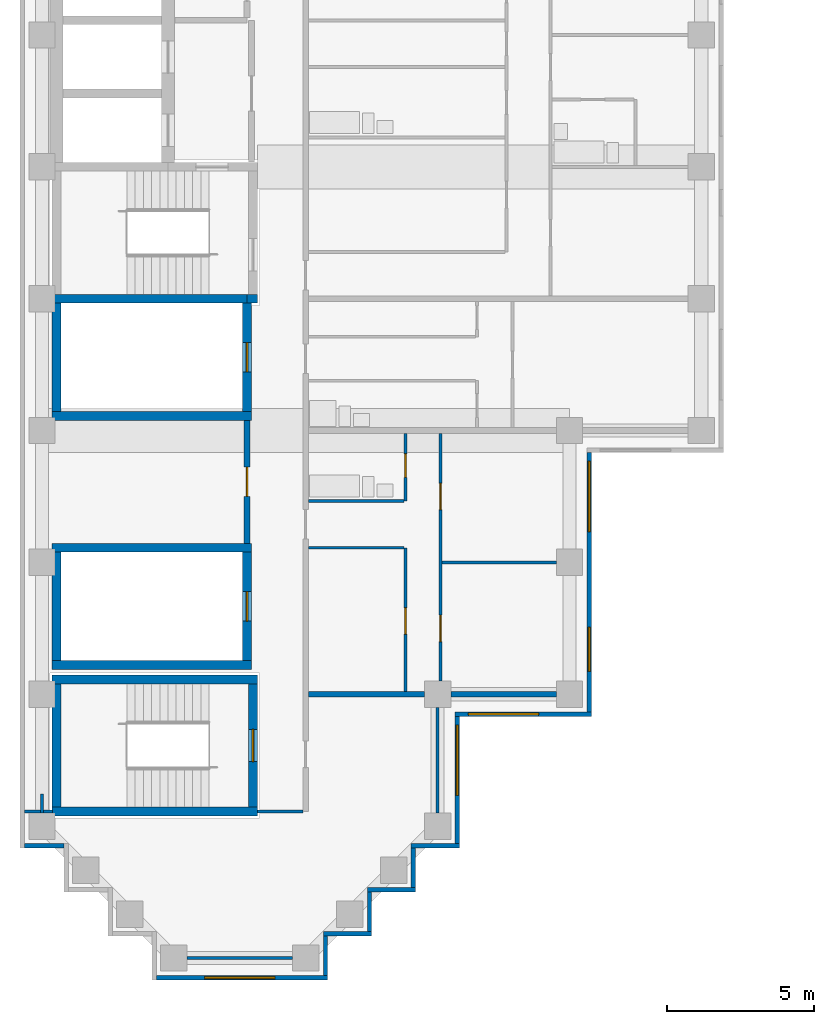
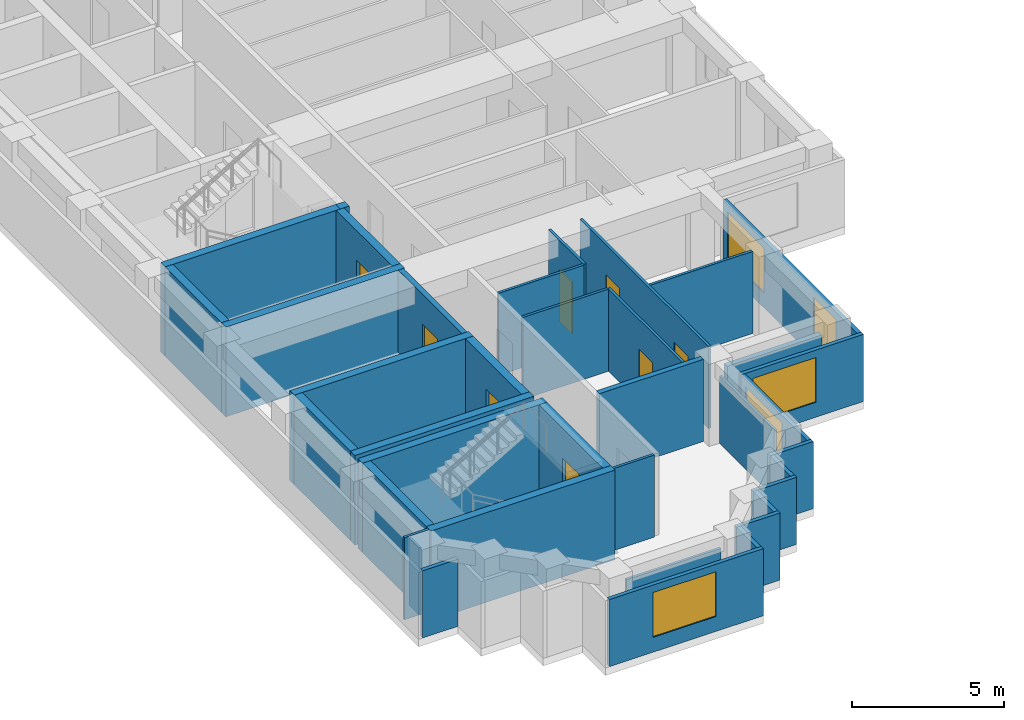
# One storey, part 2 of 10: 38 walls, 8 doors, 5 windows, 13 openings.
"""IFC4 building model written with IfcOpenShell, lengths in metres."""

from ifc_helpers import new_model, si_unit, direction, frame, frame_2d, origin, place, context, subcontext, project, spatial, rectangle, extrude, material, layer, layer_set, type_object, element, fill, save


model = new_model("IFC4")

# Units and contexts
model_context = context("Model", 3, precision=1e-05, world=origin(), true_north=direction((0.0, 1.0)))
body_context = subcontext(model_context, "Body", "Model", "MODEL_VIEW")
ifc_project = project(units=[si_unit("LENGTHUNIT", "METRE"), si_unit("AREAUNIT", "SQUARE_METRE"), si_unit("VOLUMEUNIT", "CUBIC_METRE"), si_unit("PLANEANGLEUNIT", "RADIAN"), si_unit("MASSUNIT", "GRAM", prefix="KILO")], contexts=[model_context])

# Site, building, storey
site_placement = place(None, origin())
site = spatial("IfcSite", under=ifc_project, at=site_placement, CompositionType="ELEMENT")
building_placement = place(site_placement, origin())
building = spatial("IfcBuilding", under=site, at=building_placement, Name="Firuza Court", CompositionType="ELEMENT")
storey_placement = place(building_placement, frame((0.0, 0.0, 193.39990234375)))
storey = spatial("IfcBuildingStorey", under=building, at=storey_placement, Name="L49", CompositionType="ELEMENT", Elevation=193.39990234375)

# Walls
ifc_material_1 = material(Name="Moisture-resistant gypsum board partition")
ifc_layer_1 = layer(ifc_material_1, 0.10009765625)
ifc_layer_set_1 = layer_set([ifc_layer_1], Name="Moisture-resistant gypsum board partition")
wall_type_1 = type_object("IfcWallType", Name="Bathroom partition 100", PredefinedType="PLUMBINGWALL", material=ifc_layer_set_1)
wall_1_placement = place(storey_placement, frame((9.10009765625, 15.60009765625, 0.0), z_axis=(0.0, 0.0, 1.0), x_axis=(1.0, 0.0, 0.0)))
element("IfcWall", 1, at=wall_1_placement, inside=storey, type_object=wall_type_1, Name="Bathroom partition 100 L49", PredefinedType="PLUMBINGWALL", context=body_context, shape_type="SweptSolid", body=[
    extrude(rectangle(XDim=3.25, YDim=0.10009765625, at=frame_2d((1.625, 0.0))), origin(), (0.0, 0.0, 1.0), 3.300048828125),
])
ifc_material_2 = material(Name="Concrete C50/60", Category="concrete")
ifc_layer_2 = layer(ifc_material_2, 0.300048828125)
ifc_layer_set_2 = layer_set([ifc_layer_2], Name="Concrete C50/60")
wall_type_2 = type_object("IfcWallType", Name="Core wall 300 C50/60", PredefinedType="SHEAR", material=ifc_layer_set_2)
for number, where, z_axis, x_axis, name in (
    (2, (0.35009765625, 5.0, -0.2998046875), (0.0, 0.0, 1.0), (1.0, 0.0, 0.0), "Core wall stair L49"),
    (3, (0.35009765625, 9.5, -0.2998046875), (0.0, 0.0, 1.0), (1.0, 0.0, 0.0), "Core wall stair L49"),
):
    element("IfcWall", number, at=place(storey_placement, frame(where, z_axis=z_axis, x_axis=x_axis)), inside=storey, type_object=wall_type_2, Name=name, PredefinedType="SHEAR", context=body_context, shape_type="SweptSolid", body=[
        extrude(rectangle(XDim=7.0, YDim=0.300048828125, at=frame_2d((3.5, 0.0))), origin(), (0.0, 0.0, 1.0), 3.599853515625),
    ])
for number, where, z_axis, x_axis, name in (
    (4, (0.35009765625, 10.0, -0.2998046875), (0.0, 0.0, 1.0), (1.0, 0.0, 0.0), "Core wall riser L49"),
    (5, (0.35009765625, 14.0, -0.2998046875), (0.0, 0.0, 1.0), (1.0, 0.0, 0.0), "Core wall riser L49"),
    (6, (0.35009765625, 18.5, -0.2998046875), (0.0, 0.0, 1.0), (1.0, 0.0, 0.0), "Core wall riser L49"),
):
    element("IfcWall", number, at=place(storey_placement, frame(where, z_axis=z_axis, x_axis=x_axis)), inside=storey, type_object=wall_type_2, Name=name, PredefinedType="SHEAR", context=body_context, shape_type="SweptSolid", body=[
        extrude(rectangle(XDim=6.7998046875, YDim=0.300048828125, at=frame_2d((3.39990234375, 0.0))), origin(), (0.0, 0.0, 1.0), 3.599853515625),
    ])
wall_2_placement = place(storey_placement, frame((0.35009765625, 22.5, -0.2998046875), z_axis=(0.0, 0.0, 1.0), x_axis=(1.0, 0.0, 0.0)))
element("IfcWall", 7, at=wall_2_placement, inside=storey, type_object=wall_type_2, Name="Core wall riser L49", PredefinedType="SHEAR", context=body_context, shape_type="SweptSolid", body=[
    extrude(rectangle(XDim=6.64990234375, YDim=0.300048828125, at=frame_2d((3.324951171875, 0.0))), origin(), (0.0, 0.0, 1.0), 3.599853515625),
])
wall_3_placement = place(storey_placement, frame((0.5, 5.14990234375, -0.2998046875), z_axis=(0.0, 0.0, 1.0), x_axis=(0.0, 1.0, 0.0)))
element("IfcWall", 8, at=wall_3_placement, inside=storey, type_object=wall_type_2, Name="Core wall stair L49", PredefinedType="SHEAR", context=body_context, shape_type="SweptSolid", body=[
    extrude(rectangle(XDim=4.2001953125, YDim=0.300048828125, at=frame_2d((2.10009765625, 0.0))), origin(), (0.0, 0.0, 1.0), 3.599853515625),
])
for number, where, z_axis, x_axis, name in (
    (9, (0.5, 10.14990234375, -0.2998046875), (0.0, 0.0, 1.0), (0.0, 1.0, 0.0), "Core wall riser L49"),
    (10, (0.5, 18.64990234375, -0.2998046875), (0.0, 0.0, 1.0), (0.0, 1.0, 0.0), "Core wall riser L49"),
):
    element("IfcWall", number, at=place(storey_placement, frame(where, z_axis=z_axis, x_axis=x_axis)), inside=storey, type_object=wall_type_2, Name=name, PredefinedType="SHEAR", context=body_context, shape_type="SweptSolid", body=[
        extrude(rectangle(XDim=3.7001953125, YDim=0.300048828125, at=frame_2d((1.85009765625, 0.0))), origin(), (0.0, 0.0, 1.0), 3.599853515625),
    ])

# Wall, opening, door
wall_4_placement = place(storey_placement, frame((7.0, 10.14990234375, -0.2998046875), z_axis=(0.0, 0.0, 1.0), x_axis=(0.0, 1.0, 0.0)))
wall_4 = element("IfcWall", 11, at=wall_4_placement, inside=storey, type_object=wall_type_2, Name="Core wall riser L49", PredefinedType="SHEAR", context=body_context, shape_type="SweptSolid", body=[
    extrude(rectangle(XDim=3.7001953125, YDim=0.300048828125, at=frame_2d((1.85009765625, 0.0))), origin(), (0.0, 0.0, 1.0), 3.599853515625),
])
opening_1_placement = place(wall_4_placement, frame((1.35009765625, 0.0, 0.300048828125)))
opening_1 = element("IfcOpeningElement", 12, at=opening_1_placement, cuts=wall_4, Name="Opening D49010", PredefinedType="OPENING", context=body_context, shape_type="SweptSolid", body=[
    extrude(rectangle(XDim=1.0, YDim=2.10009765625, at=frame_2d((0.5, 1.050048828125))), frame((0.0, 0.162109375, 0.0), z_axis=(0.0, -1.0, 0.0), x_axis=(1.0, 0.0, 0.0)), (0.0, 0.0, 1.0), 0.323974609375),
])
ifc_material_3 = material(Name="Timber door leaf in hardwood frame", Category="wood")
door_type_1 = type_object("IfcDoorType", Name="Riser door 1000", OperationType="SINGLE_SWING_LEFT", PredefinedType="DOOR", material=ifc_material_3)
door_1_placement = place(opening_1_placement, origin())
door_1 = element("IfcDoor", 13, at=door_1_placement, inside=storey, type_object=door_type_1, Name="Riser door R4", OperationType="SINGLE_SWING_LEFT", OverallHeight=2.10009765625, OverallWidth=1.0, PredefinedType="DOOR", context=body_context, shape_type="SweptSolid", body=[
    extrude(rectangle(XDim=1.0, YDim=2.10009765625, at=frame_2d((0.5, 1.050048828125))), frame((0.0, 0.02490234375, 0.0), z_axis=(0.0, -1.0, 0.0), x_axis=(1.0, 0.0, 0.0)), (0.0, 0.0, 1.0), 0.050048828125),
])
fill(opening_1, door_1)

wall_5_placement = place(storey_placement, frame((7.0, 18.64990234375, -0.2998046875), z_axis=(0.0, 0.0, 1.0), x_axis=(0.0, 1.0, 0.0)))
wall_5 = element("IfcWall", 14, at=wall_5_placement, inside=storey, type_object=wall_type_2, Name="Core wall riser L49", PredefinedType="SHEAR", context=body_context, shape_type="SweptSolid", body=[
    extrude(rectangle(XDim=3.7001953125, YDim=0.300048828125, at=frame_2d((1.85009765625, 0.0))), origin(), (0.0, 0.0, 1.0), 3.599853515625),
])
opening_2_placement = place(wall_5_placement, frame((1.35009765625, 0.0, 0.300048828125)))
opening_2 = element("IfcOpeningElement", 15, at=opening_2_placement, cuts=wall_5, Name="Opening D49008", PredefinedType="OPENING", context=body_context, shape_type="SweptSolid", body=[
    extrude(rectangle(XDim=1.0, YDim=2.10009765625, at=frame_2d((0.5, 1.050048828125))), frame((0.0, 0.162109375, 0.0), z_axis=(0.0, -1.0, 0.0), x_axis=(1.0, 0.0, 0.0)), (0.0, 0.0, 1.0), 0.323974609375),
])
door_2_placement = place(opening_2_placement, origin())
door_2 = element("IfcDoor", 16, at=door_2_placement, inside=storey, type_object=door_type_1, Name="Riser door R1", OperationType="SINGLE_SWING_LEFT", OverallHeight=2.10009765625, OverallWidth=1.0, PredefinedType="DOOR", context=body_context, shape_type="SweptSolid", body=[
    extrude(rectangle(XDim=1.0, YDim=2.10009765625, at=frame_2d((0.5, 1.050048828125))), frame((0.0, 0.02490234375, 0.0), z_axis=(0.0, -1.0, 0.0), x_axis=(1.0, 0.0, 0.0)), (0.0, 0.0, 1.0), 0.050048828125),
])
fill(opening_2, door_2)

# Wall
wall_6_placement = place(storey_placement, frame((7.0, 22.5, -0.2998046875), z_axis=(0.0, 0.0, 1.0), x_axis=(1.0, 0.0, 0.0)))
element("IfcWall", 17, at=wall_6_placement, inside=storey, type_object=wall_type_2, Name="Core wall stair L49", PredefinedType="SHEAR", context=body_context, shape_type="SweptSolid", body=[
    extrude(rectangle(XDim=0.35009765625, YDim=0.300048828125, at=frame_2d((0.175048828125, 0.0))), origin(), (0.0, 0.0, 1.0), 3.599853515625),
])

# Wall, opening, door
wall_7_placement = place(storey_placement, frame((7.199951171875, 5.14990234375, -0.2998046875), z_axis=(0.0, 0.0, 1.0), x_axis=(0.0, 1.0, 0.0)))
wall_7 = element("IfcWall", 18, at=wall_7_placement, inside=storey, type_object=wall_type_2, Name="Core wall stair L49", PredefinedType="SHEAR", context=body_context, shape_type="SweptSolid", body=[
    extrude(rectangle(XDim=4.2001953125, YDim=0.300048828125, at=frame_2d((2.10009765625, 0.0))), origin(), (0.0, 0.0, 1.0), 3.599853515625),
])
opening_3_placement = place(wall_7_placement, frame((1.550048828125, 0.0, 0.300048828125)))
opening_3 = element("IfcOpeningElement", 19, at=opening_3_placement, cuts=wall_7, Name="Opening D49015", PredefinedType="OPENING", context=body_context, shape_type="SweptSolid", body=[
    extrude(rectangle(XDim=1.10009765625, YDim=2.10009765625, at=frame_2d((0.550048828125, 1.050048828125))), frame((0.0, 0.162109375, 0.0), z_axis=(0.0, -1.0, 0.0), x_axis=(1.0, 0.0, 0.0)), (0.0, 0.0, 1.0), 0.323974609375),
])
ifc_material_4 = material(Name="Timber door leaf in hardwood frame", Category="wood")
door_type_2 = type_object("IfcDoorType", Name="Stair door 1100", OperationType="SINGLE_SWING_LEFT", PredefinedType="DOOR", material=ifc_material_4)
door_3_placement = place(opening_3_placement, origin())
door_3 = element("IfcDoor", 20, at=door_3_placement, inside=storey, type_object=door_type_2, Name="Stair door S5", OperationType="SINGLE_SWING_LEFT", OverallHeight=2.10009765625, OverallWidth=1.10009765625, PredefinedType="DOOR", context=body_context, shape_type="SweptSolid", body=[
    extrude(rectangle(XDim=1.10009765625, YDim=2.10009765625, at=frame_2d((0.550048828125, 1.050048828125))), frame((0.0, 0.02490234375, 0.0), z_axis=(0.0, -1.0, 0.0), x_axis=(1.0, 0.0, 0.0)), (0.0, 0.0, 1.0), 0.050048828125),
])
fill(opening_3, door_3)

ifc_material_5 = material(Name="Blockwork, plastered both sides", Category="masonry")
ifc_layer_3 = layer(ifc_material_5, 0.199951171875)
ifc_layer_set_3 = layer_set([ifc_layer_3], Name="Blockwork, plastered both sides")
wall_type_3 = type_object("IfcWallType", Name="Corridor wall 200", PredefinedType="PARTITIONING", material=ifc_layer_set_3)
wall_8_placement = place(storey_placement, frame((7.0, 14.14990234375, 0.0), z_axis=(0.0, 0.0, 1.0), x_axis=(0.0, 1.0, 0.0)))
wall_8 = element("IfcWall", 21, at=wall_8_placement, inside=storey, type_object=wall_type_3, Name="Corridor wall 200 L49", PredefinedType="PARTITIONING", context=body_context, shape_type="SweptSolid", body=[
    extrude(rectangle(XDim=4.2001953125, YDim=0.199951171875, at=frame_2d((2.10009765625, 0.0))), origin(), (0.0, 0.0, 1.0), 3.300048828125),
])
opening_4_placement = place(wall_8_placement, frame((1.60009765625, 0.0, 0.0)))
opening_4 = element("IfcOpeningElement", 22, at=opening_4_placement, cuts=wall_8, Name="Opening D49023", PredefinedType="OPENING", context=body_context, shape_type="SweptSolid", body=[
    extrude(rectangle(XDim=1.0, YDim=2.10009765625, at=frame_2d((0.5, 1.050048828125))), frame((0.0, 0.11181640625, 0.0), z_axis=(0.0, -1.0, 0.0), x_axis=(1.0, 0.0, 0.0)), (0.0, 0.0, 1.0), 0.223876953125),
])
ifc_material_6 = material(Name="Timber door leaf in hardwood frame", Category="wood")
door_type_3 = type_object("IfcDoorType", Name="Store door 1000", OperationType="SINGLE_SWING_LEFT", PredefinedType="DOOR", material=ifc_material_6)
door_4_placement = place(opening_4_placement, origin())
door_4 = element("IfcDoor", 23, at=door_4_placement, inside=storey, type_object=door_type_3, Name="Electrical room door", OperationType="SINGLE_SWING_LEFT", OverallHeight=2.10009765625, OverallWidth=1.0, PredefinedType="DOOR", context=body_context, shape_type="SweptSolid", body=[
    extrude(rectangle(XDim=1.0, YDim=2.10009765625, at=frame_2d((0.5, 1.050048828125))), frame((0.0, 0.02490234375, 0.0), z_axis=(0.0, -1.0, 0.0), x_axis=(1.0, 0.0, 0.0)), (0.0, 0.0, 1.0), 0.050048828125),
])
fill(opening_4, door_4)

# Walls
ifc_material_7 = material(Name="Timber stud partition, plasterboard both sides", Category="wood")
ifc_layer_4 = layer(ifc_material_7, 0.10009765625)
ifc_layer_set_4 = layer_set([ifc_layer_4], Name="Timber stud partition, plasterboard both sides")
wall_type_4 = type_object("IfcWallType", Name="Partition wall 100", PredefinedType="PARTITIONING", material=ifc_layer_set_4)
wall_9_placement = place(storey_placement, frame((4.949951171875, 0.0, 0.0), z_axis=(0.0, 0.0, 1.0), x_axis=(1.0, 0.0, 0.0)))
element("IfcWall", 24, at=wall_9_placement, inside=storey, type_object=wall_type_4, Name="Partition wall 100 L49", PredefinedType="PARTITIONING", context=body_context, shape_type="SweptSolid", body=[
    extrude(rectangle(XDim=3.60009765625, YDim=0.10009765625, at=frame_2d((1.800048828125, 0.0))), origin(), (0.0, 0.0, 1.0), 2.7001953125),
])
wall_10_placement = place(storey_placement, frame((0.0, 4.949951171875, 0.0), z_axis=(0.0, 0.0, 1.0), x_axis=(0.0, 1.0, 0.0)))
element("IfcWall", 25, at=wall_10_placement, inside=storey, type_object=wall_type_4, Name="Partition wall 100 L49", PredefinedType="PARTITIONING", context=body_context, shape_type="SweptSolid", body=[
    extrude(rectangle(XDim=0.650146484375, YDim=0.10009765625, at=frame_2d((0.3251953125, 0.0))), origin(), (0.0, 0.0, 1.0), 2.7001953125),
])
wall_11_placement = place(storey_placement, frame((13.5, 4.949951171875, 0.0), z_axis=(0.0, 0.0, 1.0), x_axis=(0.0, 1.0, 0.0)))
element("IfcWall", 26, at=wall_11_placement, inside=storey, type_object=wall_type_4, Name="Partition wall 100 L49", PredefinedType="PARTITIONING", context=body_context, shape_type="SweptSolid", body=[
    extrude(rectangle(XDim=3.60009765625, YDim=0.10009765625, at=frame_2d((1.800048828125, 0.0))), origin(), (0.0, 0.0, 1.0), 2.7001953125),
])
wall_12_placement = place(storey_placement, frame((-0.60009765625, 5.0, 0.0), z_axis=(0.0, 0.0, 1.0), x_axis=(1.0, 0.0, 0.0)))
element("IfcWall", 27, at=wall_12_placement, inside=storey, type_object=wall_type_4, Name="Partition wall 100 L49", PredefinedType="PARTITIONING", context=body_context, shape_type="SweptSolid", body=[
    extrude(rectangle(XDim=0.951171875, YDim=0.10009765625, at=frame_2d((0.4755859375, 0.0))), origin(), (0.0, 0.0, 1.0), 3.300048828125),
])
wall_13_placement = place(storey_placement, frame((7.34912109375, 5.0, 0.0), z_axis=(0.0, 0.0, 1.0), x_axis=(1.0, 0.0, 0.0)))
element("IfcWall", 28, at=wall_13_placement, inside=storey, type_object=wall_type_4, Name="Partition wall 100 L49", PredefinedType="PARTITIONING", context=body_context, shape_type="SweptSolid", body=[
    extrude(rectangle(XDim=1.55078125, YDim=0.10009765625, at=frame_2d((0.775390625, 0.0))), origin(), (0.0, 0.0, 1.0), 3.300048828125),
])

# Wall, opening, door
wall_14_placement = place(storey_placement, frame((12.39990234375, 9.10009765625, 0.0), z_axis=(0.0, 0.0, 1.0), x_axis=(0.0, 1.0, 0.0)))
wall_14 = element("IfcWall", 29, at=wall_14_placement, inside=storey, type_object=wall_type_4, Name="Partition wall 100 L49", PredefinedType="PARTITIONING", context=body_context, shape_type="SweptSolid", body=[
    extrude(rectangle(XDim=4.89990234375, YDim=0.10009765625, at=frame_2d((2.449951171875, 0.0))), origin(), (0.0, 0.0, 1.0), 3.300048828125),
])
opening_5_placement = place(wall_14_placement, frame((1.949951171875, 0.0, 0.0)))
opening_5 = element("IfcOpeningElement", 30, at=opening_5_placement, cuts=wall_14, Name="Opening D49020", PredefinedType="OPENING", context=body_context, shape_type="SweptSolid", body=[
    extrude(rectangle(XDim=0.89990234375, YDim=2.10009765625, at=frame_2d((0.449951171875, 1.050048828125))), frame((0.0, 0.06201171875, 0.0), z_axis=(0.0, -1.0, 0.0), x_axis=(1.0, 0.0, 0.0)), (0.0, 0.0, 1.0), 0.1240234375),
])
ifc_material_8 = material(Name="Timber door leaf in hardwood frame", Category="wood")
door_type_4 = type_object("IfcDoorType", Name="Room door 900", OperationType="SINGLE_SWING_LEFT", PredefinedType="DOOR", material=ifc_material_8)
door_5_placement = place(opening_5_placement, origin())
door_5 = element("IfcDoor", 31, at=door_5_placement, inside=storey, type_object=door_type_4, Name="Kitchen door", OperationType="SINGLE_SWING_LEFT", OverallHeight=2.10009765625, OverallWidth=0.89990234375, PredefinedType="DOOR", context=body_context, shape_type="SweptSolid", body=[
    extrude(rectangle(XDim=0.89990234375, YDim=2.10009765625, at=frame_2d((0.449951171875, 1.050048828125))), frame((0.0, 0.02490234375, 0.0), z_axis=(0.0, -1.0, 0.0), x_axis=(1.0, 0.0, 0.0)), (0.0, 0.0, 1.0), 0.050048828125),
])
fill(opening_5, door_5)

# Wall, openings, doors
wall_15_placement = place(storey_placement, frame((13.60009765625, 9.449951171875, 0.0), z_axis=(0.0, 0.0, 1.0), x_axis=(0.0, 1.0, 0.0)))
wall_15 = element("IfcWall", 32, at=wall_15_placement, inside=storey, type_object=wall_type_4, Name="Partition wall 100 L49", PredefinedType="PARTITIONING", context=body_context, shape_type="SweptSolid", body=[
    extrude(rectangle(XDim=8.449951171875, YDim=0.10009765625, at=frame_2d((4.22509765625, 0.0))), origin(), (0.0, 0.0, 1.0), 3.300048828125),
])
opening_6_placement = place(wall_15_placement, frame((1.35009765625, 0.0, 0.0)))
opening_6 = element("IfcOpeningElement", 33, at=opening_6_placement, cuts=wall_15, Name="Opening D49021", PredefinedType="OPENING", context=body_context, shape_type="SweptSolid", body=[
    extrude(rectangle(XDim=0.89990234375, YDim=2.10009765625, at=frame_2d((0.449951171875, 1.050048828125))), frame((0.0, 0.06201171875, 0.0), z_axis=(0.0, -1.0, 0.0), x_axis=(1.0, 0.0, 0.0)), (0.0, 0.0, 1.0), 0.1240234375),
])
opening_7_placement = place(wall_15_placement, frame((5.85009765625, 0.0, 0.0)))
opening_7 = element("IfcOpeningElement", 34, at=opening_7_placement, cuts=wall_15, Name="Opening D49022", PredefinedType="OPENING", context=body_context, shape_type="SweptSolid", body=[
    extrude(rectangle(XDim=0.89990234375, YDim=2.10009765625, at=frame_2d((0.449951171875, 1.050048828125))), frame((0.0, 0.06201171875, 0.0), z_axis=(0.0, -1.0, 0.0), x_axis=(1.0, 0.0, 0.0)), (0.0, 0.0, 1.0), 0.1240234375),
])
door_6_placement = place(opening_6_placement, frame((0.89990234375, 0.0, 0.0), z_axis=(0.0, 0.0, 1.0), x_axis=(-1.0, 0.0, 0.0)))
door_6 = element("IfcDoor", 35, at=door_6_placement, inside=storey, type_object=door_type_4, Name="Living room door", OperationType="SINGLE_SWING_RIGHT", OverallHeight=2.10009765625, OverallWidth=0.89990234375, PredefinedType="DOOR", context=body_context, shape_type="SweptSolid", body=[
    extrude(rectangle(XDim=0.89990234375, YDim=2.10009765625, at=frame_2d((0.449951171875, 1.050048828125))), frame((0.0, 0.02490234375, 0.0), z_axis=(0.0, -1.0, 0.0), x_axis=(1.0, 0.0, 0.0)), (0.0, 0.0, 1.0), 0.050048828125),
])
fill(opening_6, door_6)
door_7_placement = place(opening_7_placement, frame((0.89990234375, 0.0, 0.0), z_axis=(0.0, 0.0, 1.0), x_axis=(-1.0, 0.0, 0.0)))
door_7 = element("IfcDoor", 36, at=door_7_placement, inside=storey, type_object=door_type_4, Name="Bedroom door", OperationType="SINGLE_SWING_RIGHT", OverallHeight=2.10009765625, OverallWidth=0.89990234375, PredefinedType="DOOR", context=body_context, shape_type="SweptSolid", body=[
    extrude(rectangle(XDim=0.89990234375, YDim=2.10009765625, at=frame_2d((0.449951171875, 1.050048828125))), frame((0.0, 0.02490234375, 0.0), z_axis=(0.0, -1.0, 0.0), x_axis=(1.0, 0.0, 0.0)), (0.0, 0.0, 1.0), 0.050048828125),
])
fill(opening_7, door_7)

# Walls
wall_16_placement = place(storey_placement, frame((13.64990234375, 13.5, 0.0), z_axis=(0.0, 0.0, 1.0), x_axis=(1.0, 0.0, 0.0)))
element("IfcWall", 37, at=wall_16_placement, inside=storey, type_object=wall_type_4, Name="Partition wall 100 L49", PredefinedType="PARTITIONING", context=body_context, shape_type="SweptSolid", body=[
    extrude(rectangle(XDim=3.900146484375, YDim=0.10009765625, at=frame_2d((1.9501953125, 0.0))), origin(), (0.0, 0.0, 1.0), 3.300048828125),
])
wall_17_placement = place(storey_placement, frame((9.10009765625, 14.0, 0.0), z_axis=(0.0, 0.0, 1.0), x_axis=(1.0, 0.0, 0.0)))
element("IfcWall", 38, at=wall_17_placement, inside=storey, type_object=wall_type_4, Name="Partition wall 100 L49", PredefinedType="PARTITIONING", context=body_context, shape_type="SweptSolid", body=[
    extrude(rectangle(XDim=3.25, YDim=0.10009765625, at=frame_2d((1.625, 0.0))), origin(), (0.0, 0.0, 1.0), 3.300048828125),
])

# Wall, opening, door
wall_18_placement = place(storey_placement, frame((12.39990234375, 15.60009765625, 0.0), z_axis=(0.0, 0.0, 1.0), x_axis=(0.0, 1.0, 0.0)))
wall_18 = element("IfcWall", 39, at=wall_18_placement, inside=storey, type_object=wall_type_4, Name="Partition wall 100 L49", PredefinedType="PARTITIONING", context=body_context, shape_type="SweptSolid", body=[
    extrude(rectangle(XDim=2.2998046875, YDim=0.10009765625, at=frame_2d((1.14990234375, 0.0))), origin(), (0.0, 0.0, 1.0), 3.300048828125),
])
opening_8_placement = place(wall_18_placement, frame((0.800048828125, 0.0, 0.0)))
opening_8 = element("IfcOpeningElement", 40, at=opening_8_placement, cuts=wall_18, Name="Opening D49024", PredefinedType="OPENING", context=body_context, shape_type="SweptSolid", body=[
    extrude(rectangle(XDim=0.800048828125, YDim=2.10009765625, at=frame_2d((0.39990234375, 1.050048828125))), frame((0.0, 0.06201171875, 0.0), z_axis=(0.0, -1.0, 0.0), x_axis=(1.0, 0.0, 0.0)), (0.0, 0.0, 1.0), 0.1240234375),
])
ifc_material_9 = material(Name="Timber door leaf in hardwood frame", Category="wood")
door_type_5 = type_object("IfcDoorType", Name="Bathroom door 800", OperationType="SINGLE_SWING_LEFT", PredefinedType="DOOR", material=ifc_material_9)
door_8_placement = place(opening_8_placement, origin())
door_8 = element("IfcDoor", 41, at=door_8_placement, inside=storey, type_object=door_type_5, Name="Bathroom door", OperationType="SINGLE_SWING_LEFT", OverallHeight=2.10009765625, OverallWidth=0.800048828125, PredefinedType="DOOR", context=body_context, shape_type="SweptSolid", body=[
    extrude(rectangle(XDim=0.800048828125, YDim=2.10009765625, at=frame_2d((0.39990234375, 1.050048828125))), frame((0.0, 0.02490234375, 0.0), z_axis=(0.0, -1.0, 0.0), x_axis=(1.0, 0.0, 0.0)), (0.0, 0.0, 1.0), 0.050048828125),
])
fill(opening_8, door_8)

# Walls
ifc_layer_5 = layer(ifc_material_5, 0.199951171875)
ifc_layer_set_5 = layer_set([ifc_layer_5], Name="Blockwork, plastered both sides")
wall_type_5 = type_object("IfcWallType", Name="Party wall 200", PredefinedType="PARTITIONING", material=ifc_layer_set_5)
wall_19_placement = place(storey_placement, frame((9.10009765625, 9.0, 0.0), z_axis=(0.0, 0.0, 1.0), x_axis=(1.0, 0.0, 0.0)))
element("IfcWall", 42, at=wall_19_placement, inside=storey, type_object=wall_type_5, Name="Party wall 200 L49", PredefinedType="PARTITIONING", context=body_context, shape_type="SweptSolid", body=[
    extrude(rectangle(XDim=3.949951171875, YDim=0.199951171875, at=frame_2d((1.97509765625, 0.0))), origin(), (0.0, 0.0, 1.0), 3.300048828125),
])
wall_20_placement = place(storey_placement, frame((13.949951171875, 9.0, 0.0), z_axis=(0.0, 0.0, 1.0), x_axis=(1.0, 0.0, 0.0)))
element("IfcWall", 43, at=wall_20_placement, inside=storey, type_object=wall_type_5, Name="Party wall 200 L49", PredefinedType="PARTITIONING", context=body_context, shape_type="SweptSolid", body=[
    extrude(rectangle(XDim=3.60009765625, YDim=0.199951171875, at=frame_2d((1.800048828125, 0.0))), origin(), (0.0, 0.0, 1.0), 2.7001953125),
])
ifc_material_10 = material(Name="Ceramic tile", Category="ceramic")
ifc_layer_6 = layer(ifc_material_10, 0.02001953125)
ifc_material_11 = material(Name="Mineral wool insulation", Category="insulation")
ifc_layer_7 = layer(ifc_material_11, 0.050048828125)
ifc_material_12 = material(Name="Concrete C40/50 precast", Category="concrete")
ifc_layer_8 = layer(ifc_material_12, 0.080078125)
ifc_layer_set_6 = layer_set([ifc_layer_6, ifc_layer_7, ifc_layer_8], Name="Concrete C40/50 precast")
wall_type_6 = type_object("IfcWallType", Name="Precast cladding wall with turquoise TILE PANEL face 150", PredefinedType="STANDARD", material=ifc_layer_set_6)
wall_21_placement = place(storey_placement, frame((-0.60009765625, 3.824951171875, 0.0), z_axis=(0.0, 0.0, 1.0), x_axis=(1.0, 0.0, 0.0)))
element("IfcWall", 44, at=wall_21_placement, inside=storey, type_object=wall_type_6, Name="Facade wall L49 S", PredefinedType="STANDARD", context=body_context, shape_type="SweptSolid", body=[
    extrude(rectangle(XDim=1.35009765625, YDim=0.14990234375, at=frame_2d((0.675048828125, 0.0))), origin(), (0.0, 0.0, 1.0), 2.7001953125),
])

# Wall, opening, window
wall_22_placement = place(storey_placement, frame((3.89990234375, -0.675048828125, 0.0), z_axis=(0.0, 0.0, 1.0), x_axis=(1.0, 0.0, 0.0)))
wall_22 = element("IfcWall", 45, at=wall_22_placement, inside=storey, type_object=wall_type_6, Name="Facade wall L49 S", PredefinedType="STANDARD", context=body_context, shape_type="SweptSolid", body=[
    extrude(rectangle(XDim=5.85009765625, YDim=0.14990234375, at=frame_2d((2.925048828125, 0.0))), origin(), (0.0, 0.0, 1.0), 2.7001953125),
])
opening_9_placement = place(wall_22_placement, frame((1.64990234375, 0.0, 0.60009765625)))
opening_9 = element("IfcOpeningElement", 46, at=opening_9_placement, cuts=wall_22, Name="Opening W1", PredefinedType="OPENING", context=body_context, shape_type="SweptSolid", body=[
    extrude(rectangle(XDim=2.39990234375, YDim=1.800048828125, at=frame_2d((1.199951171875, 0.89990234375))), frame((0.0, 0.0869140625, 0.0), z_axis=(0.0, -1.0, 0.0), x_axis=(1.0, 0.0, 0.0)), (0.0, 0.0, 1.0), 0.173828125),
])
ifc_material_13 = material(Name="Aluminium frame, triple clear glazing", Category="aluminium")
window_type_1 = type_object("IfcWindowType", Name="Window W1 2400 x 1800", PartitioningType="SINGLE_PANEL", PredefinedType="WINDOW", material=ifc_material_13)
window_1_placement = place(opening_9_placement, origin())
window_1 = element("IfcWindow", 47, at=window_1_placement, inside=storey, type_object=window_type_1, Name="Window L49", OverallHeight=1.800048828125, OverallWidth=2.39990234375, PartitioningType="SINGLE_PANEL", PredefinedType="WINDOW", context=body_context, shape_type="SweptSolid", body=[
    extrude(rectangle(XDim=2.39990234375, YDim=1.800048828125, at=frame_2d((1.199951171875, 0.89990234375))), frame((0.0, 0.030029296875, 0.0), z_axis=(0.0, -1.0, 0.0), x_axis=(1.0, 0.0, 0.0)), (0.0, 0.0, 1.0), 0.06005859375),
])
fill(opening_9, window_1)

# Walls
wall_23_placement = place(storey_placement, frame((9.675048828125, -0.60009765625, 0.0), z_axis=(0.0, 0.0, 1.0), x_axis=(0.0, 1.0, 0.0)))
element("IfcWall", 48, at=wall_23_placement, inside=storey, type_object=wall_type_6, Name="Facade wall L49 E", PredefinedType="STANDARD", context=body_context, shape_type="SweptSolid", body=[
    extrude(rectangle(XDim=1.35009765625, YDim=0.14990234375, at=frame_2d((0.675048828125, 0.0))), origin(), (0.0, 0.0, 1.0), 2.7001953125),
])
wall_24_placement = place(storey_placement, frame((9.60009765625, 0.824951171875, 0.0), z_axis=(0.0, 0.0, 1.0), x_axis=(1.0, 0.0, 0.0)))
element("IfcWall", 49, at=wall_24_placement, inside=storey, type_object=wall_type_6, Name="Facade wall L49 S", PredefinedType="STANDARD", context=body_context, shape_type="SweptSolid", body=[
    extrude(rectangle(XDim=1.64990234375, YDim=0.14990234375, at=frame_2d((0.824951171875, 0.0))), origin(), (0.0, 0.0, 1.0), 2.7001953125),
])
wall_25_placement = place(storey_placement, frame((11.175048828125, 0.89990234375, 0.0), z_axis=(0.0, 0.0, 1.0), x_axis=(0.0, 1.0, 0.0)))
element("IfcWall", 50, at=wall_25_placement, inside=storey, type_object=wall_type_6, Name="Facade wall L49 E", PredefinedType="STANDARD", context=body_context, shape_type="SweptSolid", body=[
    extrude(rectangle(XDim=1.35009765625, YDim=0.14990234375, at=frame_2d((0.675048828125, 0.0))), origin(), (0.0, 0.0, 1.0), 2.7001953125),
])
wall_26_placement = place(storey_placement, frame((11.10009765625, 2.324951171875, 0.0), z_axis=(0.0, 0.0, 1.0), x_axis=(1.0, 0.0, 0.0)))
element("IfcWall", 51, at=wall_26_placement, inside=storey, type_object=wall_type_6, Name="Facade wall L49 S", PredefinedType="STANDARD", context=body_context, shape_type="SweptSolid", body=[
    extrude(rectangle(XDim=1.64990234375, YDim=0.14990234375, at=frame_2d((0.824951171875, 0.0))), origin(), (0.0, 0.0, 1.0), 2.7001953125),
])
wall_27_placement = place(storey_placement, frame((12.675048828125, 2.39990234375, 0.0), z_axis=(0.0, 0.0, 1.0), x_axis=(0.0, 1.0, 0.0)))
element("IfcWall", 52, at=wall_27_placement, inside=storey, type_object=wall_type_6, Name="Facade wall L49 E", PredefinedType="STANDARD", context=body_context, shape_type="SweptSolid", body=[
    extrude(rectangle(XDim=1.35009765625, YDim=0.14990234375, at=frame_2d((0.675048828125, 0.0))), origin(), (0.0, 0.0, 1.0), 2.7001953125),
])
wall_28_placement = place(storey_placement, frame((12.60009765625, 3.824951171875, 0.0), z_axis=(0.0, 0.0, 1.0), x_axis=(1.0, 0.0, 0.0)))
element("IfcWall", 53, at=wall_28_placement, inside=storey, type_object=wall_type_6, Name="Facade wall L49 S", PredefinedType="STANDARD", context=body_context, shape_type="SweptSolid", body=[
    extrude(rectangle(XDim=1.64990234375, YDim=0.14990234375, at=frame_2d((0.824951171875, 0.0))), origin(), (0.0, 0.0, 1.0), 2.7001953125),
])

# Wall, opening, window
wall_29_placement = place(storey_placement, frame((14.175048828125, 3.89990234375, 0.0), z_axis=(0.0, 0.0, 1.0), x_axis=(0.0, 1.0, 0.0)))
wall_29 = element("IfcWall", 54, at=wall_29_placement, inside=storey, type_object=wall_type_6, Name="Facade wall L49 E", PredefinedType="STANDARD", context=body_context, shape_type="SweptSolid", body=[
    extrude(rectangle(XDim=4.35009765625, YDim=0.14990234375, at=frame_2d((2.175048828125, 0.0))), origin(), (0.0, 0.0, 1.0), 2.7001953125),
])
opening_10_placement = place(wall_29_placement, frame((1.64990234375, 0.0, 0.60009765625)))
opening_10 = element("IfcOpeningElement", 55, at=opening_10_placement, cuts=wall_29, Name="Opening W1", PredefinedType="OPENING", context=body_context, shape_type="SweptSolid", body=[
    extrude(rectangle(XDim=2.39990234375, YDim=1.800048828125, at=frame_2d((1.199951171875, 0.89990234375))), frame((0.0, 0.0869140625, 0.0), z_axis=(0.0, -1.0, 0.0), x_axis=(1.0, 0.0, 0.0)), (0.0, 0.0, 1.0), 0.173828125),
])
window_2_placement = place(opening_10_placement, origin())
window_2 = element("IfcWindow", 56, at=window_2_placement, inside=storey, type_object=window_type_1, Name="Window L49", OverallHeight=1.800048828125, OverallWidth=2.39990234375, PartitioningType="SINGLE_PANEL", PredefinedType="WINDOW", context=body_context, shape_type="SweptSolid", body=[
    extrude(rectangle(XDim=2.39990234375, YDim=1.800048828125, at=frame_2d((1.199951171875, 0.89990234375))), frame((0.0, 0.030029296875, 0.0), z_axis=(0.0, -1.0, 0.0), x_axis=(1.0, 0.0, 0.0)), (0.0, 0.0, 1.0), 0.06005859375),
])
fill(opening_10, window_2)

wall_30_placement = place(storey_placement, frame((14.10009765625, 8.324951171875, 0.0), z_axis=(0.0, 0.0, 1.0), x_axis=(1.0, 0.0, 0.0)))
wall_30 = element("IfcWall", 57, at=wall_30_placement, inside=storey, type_object=wall_type_6, Name="Facade wall L49 S", PredefinedType="STANDARD", context=body_context, shape_type="SweptSolid", body=[
    extrude(rectangle(XDim=4.64990234375, YDim=0.14990234375, at=frame_2d((2.324951171875, 0.0))), origin(), (0.0, 0.0, 1.0), 2.7001953125),
])
opening_11_placement = place(wall_30_placement, frame((0.449951171875, 0.0, 0.60009765625)))
opening_11 = element("IfcOpeningElement", 58, at=opening_11_placement, cuts=wall_30, Name="Opening W1", PredefinedType="OPENING", context=body_context, shape_type="SweptSolid", body=[
    extrude(rectangle(XDim=2.39990234375, YDim=1.800048828125, at=frame_2d((1.199951171875, 0.89990234375))), frame((0.0, 0.0869140625, 0.0), z_axis=(0.0, -1.0, 0.0), x_axis=(1.0, 0.0, 0.0)), (0.0, 0.0, 1.0), 0.173828125),
])
window_3_placement = place(opening_11_placement, origin())
window_3 = element("IfcWindow", 59, at=window_3_placement, inside=storey, type_object=window_type_1, Name="Window L49", OverallHeight=1.800048828125, OverallWidth=2.39990234375, PartitioningType="SINGLE_PANEL", PredefinedType="WINDOW", context=body_context, shape_type="SweptSolid", body=[
    extrude(rectangle(XDim=2.39990234375, YDim=1.800048828125, at=frame_2d((1.199951171875, 0.89990234375))), frame((0.0, 0.030029296875, 0.0), z_axis=(0.0, -1.0, 0.0), x_axis=(1.0, 0.0, 0.0)), (0.0, 0.0, 1.0), 0.06005859375),
])
fill(opening_11, window_3)

# Wall, openings, windows
wall_31_placement = place(storey_placement, frame((18.675048828125, 8.39990234375, 0.0), z_axis=(0.0, 0.0, 1.0), x_axis=(0.0, 1.0, 0.0)))
wall_31 = element("IfcWall", 60, at=wall_31_placement, inside=storey, type_object=wall_type_6, Name="Facade wall L49 E", PredefinedType="STANDARD", context=body_context, shape_type="SweptSolid", body=[
    extrude(rectangle(XDim=8.85009765625, YDim=0.14990234375, at=frame_2d((4.425048828125, 0.0))), origin(), (0.0, 0.0, 1.0), 2.7001953125),
])
opening_12_placement = place(wall_31_placement, frame((1.3837890625, 0.0, 0.60009765625)))
opening_12 = element("IfcOpeningElement", 61, at=opening_12_placement, cuts=wall_31, Name="Opening W2", PredefinedType="OPENING", context=body_context, shape_type="SweptSolid", body=[
    extrude(rectangle(XDim=1.5, YDim=1.800048828125, at=frame_2d((0.75, 0.89990234375))), frame((0.0, 0.0869140625, 0.0), z_axis=(0.0, -1.0, 0.0), x_axis=(1.0, 0.0, 0.0)), (0.0, 0.0, 1.0), 0.173828125),
])
opening_13_placement = place(wall_31_placement, frame((6.14990234375, 0.0, 0.60009765625)))
opening_13 = element("IfcOpeningElement", 62, at=opening_13_placement, cuts=wall_31, Name="Opening W1", PredefinedType="OPENING", context=body_context, shape_type="SweptSolid", body=[
    extrude(rectangle(XDim=2.39990234375, YDim=1.800048828125, at=frame_2d((1.199951171875, 0.89990234375))), frame((0.0, 0.0869140625, 0.0), z_axis=(0.0, -1.0, 0.0), x_axis=(1.0, 0.0, 0.0)), (0.0, 0.0, 1.0), 0.173828125),
])
window_4_placement = place(opening_13_placement, origin())
window_4 = element("IfcWindow", 63, at=window_4_placement, inside=storey, type_object=window_type_1, Name="Window L49", OverallHeight=1.800048828125, OverallWidth=2.39990234375, PartitioningType="SINGLE_PANEL", PredefinedType="WINDOW", context=body_context, shape_type="SweptSolid", body=[
    extrude(rectangle(XDim=2.39990234375, YDim=1.800048828125, at=frame_2d((1.199951171875, 0.89990234375))), frame((0.0, 0.030029296875, 0.0), z_axis=(0.0, -1.0, 0.0), x_axis=(1.0, 0.0, 0.0)), (0.0, 0.0, 1.0), 0.06005859375),
])
fill(opening_13, window_4)
ifc_material_14 = material(Name="Aluminium frame, triple clear glazing", Category="aluminium")
window_type_2 = type_object("IfcWindowType", Name="Window W2 1500 x 1800", PartitioningType="SINGLE_PANEL", PredefinedType="WINDOW", material=ifc_material_14)
window_5_placement = place(opening_12_placement, origin())
window_5 = element("IfcWindow", 64, at=window_5_placement, inside=storey, type_object=window_type_2, Name="Window L49", OverallHeight=1.800048828125, OverallWidth=1.5, PartitioningType="SINGLE_PANEL", PredefinedType="WINDOW", context=body_context, shape_type="SweptSolid", body=[
    extrude(rectangle(XDim=1.5, YDim=1.800048828125, at=frame_2d((0.75, 0.89990234375))), frame((0.0, 0.030029296875, 0.0), z_axis=(0.0, -1.0, 0.0), x_axis=(1.0, 0.0, 0.0)), (0.0, 0.0, 1.0), 0.06005859375),
])
fill(opening_12, window_5)

save(model, "model.ifc")
